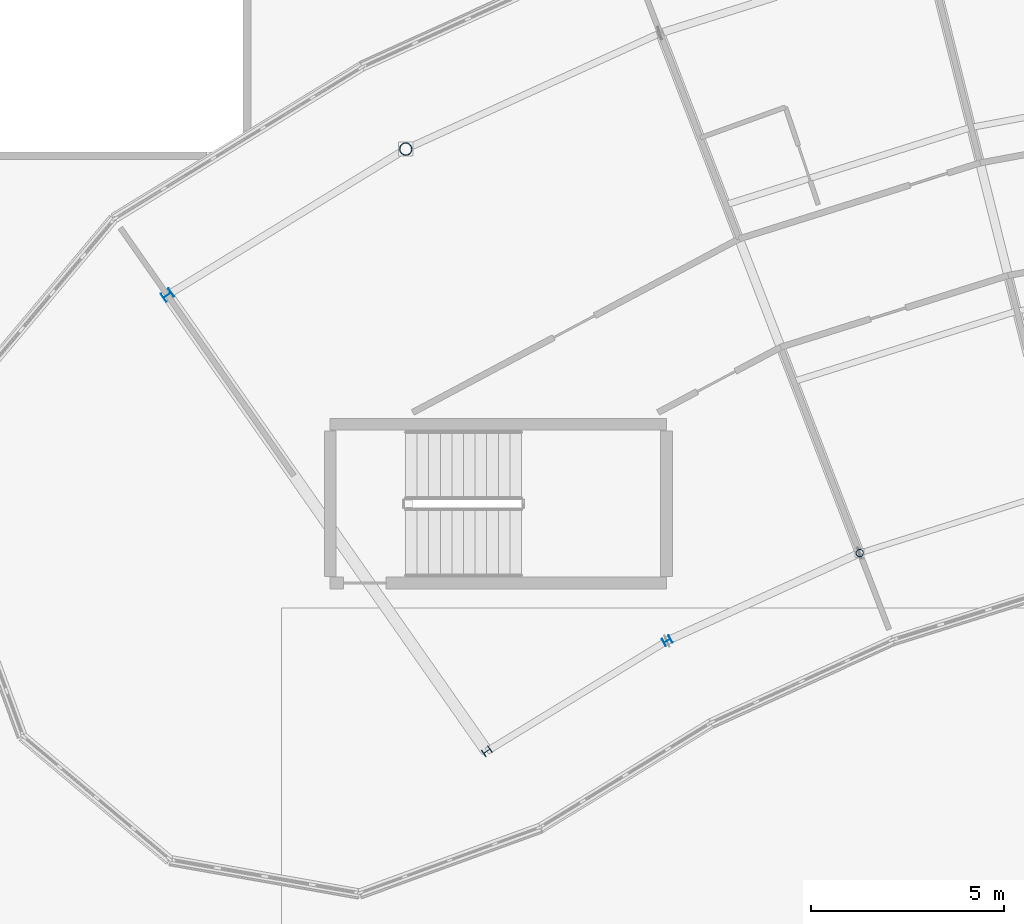
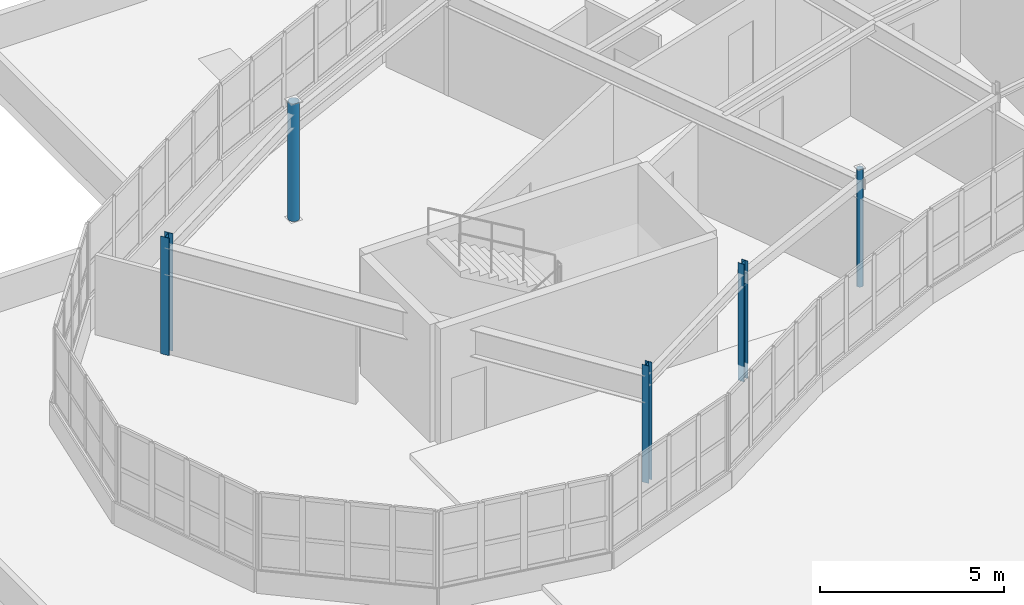
# One storey, part 9 of 128: 5 columns.
"""IFC4 building model written with IfcOpenShell, lengths in metres."""

from ifc_helpers import new_model, si_unit, direction, frame, origin, origin_2d, place, context, subcontext, project, spatial, hollow_circle, i_section, extrude, material, material_profile, profile_set, type_object, element, save


model = new_model("IFC4")

# Units and contexts
model_context = context("Model", 3, precision=1e-05, world=origin(), true_north=direction((0.0, 1.0)))
body_context = subcontext(model_context, "Body", "Model", "MODEL_VIEW")
ifc_project = project(units=[si_unit("LENGTHUNIT", "METRE"), si_unit("AREAUNIT", "SQUARE_METRE"), si_unit("VOLUMEUNIT", "CUBIC_METRE"), si_unit("PLANEANGLEUNIT", "RADIAN"), si_unit("MASSUNIT", "GRAM", prefix="KILO")], contexts=[model_context])

# Site, building, storey
site_placement = place(None, origin())
site = spatial("IfcSite", under=ifc_project, at=site_placement, CompositionType="ELEMENT")
building_placement = place(site_placement, origin())
building = spatial("IfcBuilding", under=site, at=building_placement, Name="Tarnwether General Hospital", CompositionType="ELEMENT")
storey_placement = place(building_placement, frame((0.0, 0.0, 14.39990234375)))
storey = spatial("IfcBuildingStorey", under=building, at=storey_placement, Name="L03", CompositionType="ELEMENT", Elevation=14.39990234375)

# Columns
ifc_material_1 = material(Name="Steel Grade 350 (350 MPa)", Category="steel")
ifc_material_profile_1 = material_profile(ifc_material_1, i_section(OverallWidth=0.25390625, OverallDepth=0.25390625, WebThickness=0.008544921875, FlangeThickness=0.01416015625, at=origin_2d()), Name="250UC72.9")
ifc_profile_set_1 = profile_set([ifc_material_profile_1], Name="Steel Grade 350 (350 MPa)")
column_type_1 = type_object("IfcColumnType", Name="COL-24", PredefinedType="COLUMN", material=ifc_profile_set_1)
column_1_placement = place(storey_placement, frame((58.0439453125, 111.493896484375, 0.0), z_axis=(0.0, 0.0, 1.0), x_axis=(-0.573576436351, 0.819152044289, 0.0)))
element("IfcColumn", 1, at=column_1_placement, inside=storey, type_object=column_type_1, Name="Column COLG-L03-5804_11149", PredefinedType="COLUMN", context=body_context, shape_type="SweptSolid", body=[
    extrude(i_section(OverallWidth=0.25390625, OverallDepth=0.25390625, WebThickness=0.008544921875, FlangeThickness=0.01416015625, at=origin_2d()), origin(), (0.0, 0.0, 1.0), 3.900146484375),
])
ifc_material_2 = material(Name="Steel Grade 350 (350 MPa)", Category="steel")
ifc_material_profile_2 = material_profile(ifc_material_2, i_section(OverallWidth=0.205078125, OverallDepth=0.2099609375, WebThickness=0.00927734375, FlangeThickness=0.01416015625, at=origin_2d()), Name="200UC59.5")
ifc_profile_set_2 = profile_set([ifc_material_profile_2], Name="Steel Grade 350 (350 MPa)")
column_type_2 = type_object("IfcColumnType", Name="COL-25", PredefinedType="COLUMN", material=ifc_profile_set_2)
column_2_placement = place(storey_placement, frame((66.303955078125, 99.697998046875, 0.0), z_axis=(0.0, 0.0, 1.0), x_axis=(-0.573576436351, 0.819152044289, 0.0)))
element("IfcColumn", 2, at=column_2_placement, inside=storey, type_object=column_type_2, Name="Column COLG-L03-6630_9970", PredefinedType="COLUMN", context=body_context, shape_type="SweptSolid", body=[
    extrude(i_section(OverallWidth=0.205078125, OverallDepth=0.2099609375, WebThickness=0.00927734375, FlangeThickness=0.01416015625, at=origin_2d()), origin(), (0.0, 0.0, 1.0), 3.900146484375),
])
ifc_material_3 = material(Name="Steel Grade C350L0 (350 MPa)", Category="steel")
ifc_material_profile_3 = material_profile(ifc_material_3, hollow_circle(Radius=0.161865234375, WallThickness=0.0126953125, at=origin_2d()), Name="CHS323.9x12.7")
ifc_profile_set_3 = profile_set([ifc_material_profile_3], Name="Steel Grade C350L0 (350 MPa)")
column_type_3 = type_object("IfcColumnType", Name="COL-26", PredefinedType="COLUMN", material=ifc_profile_set_3)
column_3_placement = place(storey_placement, frame((64.20703125, 115.27001953125, 0.0), z_axis=(0.0, 0.0, 1.0), x_axis=(-0.469471562786, 0.882947592859, 0.0)))
element("IfcColumn", 3, at=column_3_placement, inside=storey, type_object=column_type_3, Name="Column COLG-L03-6421_11527", PredefinedType="COLUMN", context=body_context, shape_type="SweptSolid", body=[
    extrude(hollow_circle(Radius=0.161865234375, WallThickness=0.0126953125, at=origin_2d()), origin(), (0.0, 0.0, 1.0), 3.900146484375),
])
ifc_material_4 = material(Name="Steel Grade 350 (350 MPa)", Category="steel")
ifc_material_profile_4 = material_profile(ifc_material_4, i_section(OverallWidth=0.202880859375, OverallDepth=0.202880859375, WebThickness=0.00732421875, FlangeThickness=0.010986328125, at=origin_2d()), Name="200UC46.2")
ifc_profile_set_4 = profile_set([ifc_material_profile_4], Name="Steel Grade 350 (350 MPa)")
column_type_4 = type_object("IfcColumnType", Name="COL-27", PredefinedType="COLUMN", material=ifc_profile_set_4)
column_4_placement = place(storey_placement, frame((70.968017578125, 102.555908203125, 0.0), z_axis=(0.0, 0.0, 1.0), x_axis=(-0.469471562786, 0.882947592859, 0.0)))
element("IfcColumn", 4, at=column_4_placement, inside=storey, type_object=column_type_4, Name="Column COLG-L03-7097_10256", PredefinedType="COLUMN", context=body_context, shape_type="SweptSolid", body=[
    extrude(i_section(OverallWidth=0.202880859375, OverallDepth=0.202880859375, WebThickness=0.00732421875, FlangeThickness=0.010986328125, at=origin_2d()), origin(), (0.0, 0.0, 1.0), 3.900146484375),
])
ifc_material_5 = material(Name="Steel Grade C350L0 (350 MPa)", Category="steel")
ifc_material_profile_5 = material_profile(ifc_material_5, hollow_circle(Radius=0.096923828125, WallThickness=0.008056640625, at=origin_2d()), Name="CHS193.7x8.0")
ifc_profile_set_5 = profile_set([ifc_material_profile_5], Name="Steel Grade C350L0 (350 MPa)")
column_type_5 = type_object("IfcColumnType", Name="COL-29", PredefinedType="COLUMN", material=ifc_profile_set_5)
column_5_placement = place(storey_placement, frame((75.945068359375, 104.823974609375, 0.0), z_axis=(0.0, 0.0, 1.0), x_axis=(-0.358367949545, 0.933580426497, 0.0)))
element("IfcColumn", 5, at=column_5_placement, inside=storey, type_object=column_type_5, Name="Column COLG-L03-7594_10482", PredefinedType="COLUMN", context=body_context, shape_type="SweptSolid", body=[
    extrude(hollow_circle(Radius=0.096923828125, WallThickness=0.008056640625, at=origin_2d()), origin(), (0.0, 0.0, 1.0), 3.900146484375),
])

save(model, "model.ifc")
